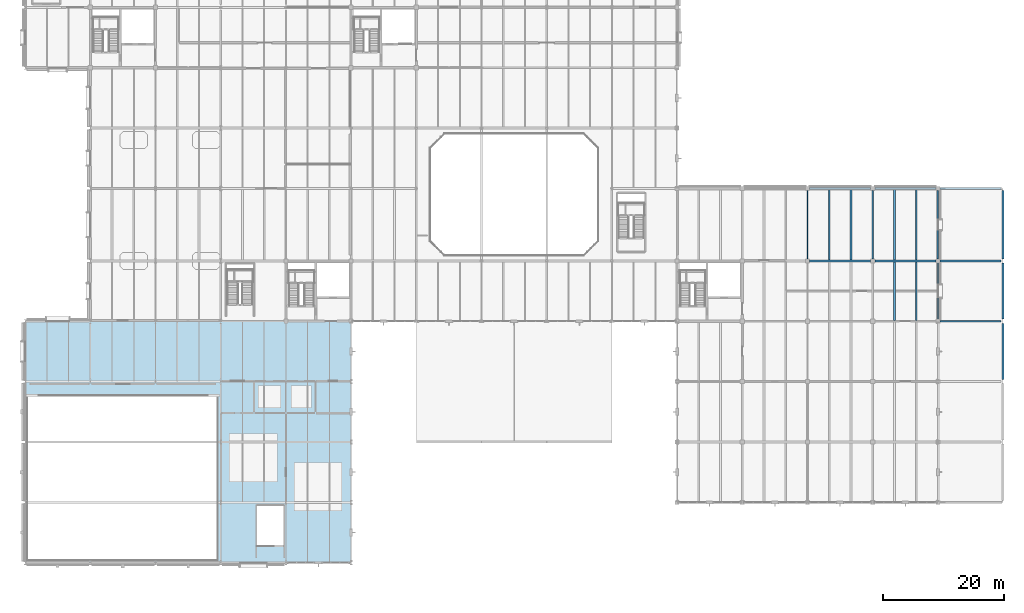
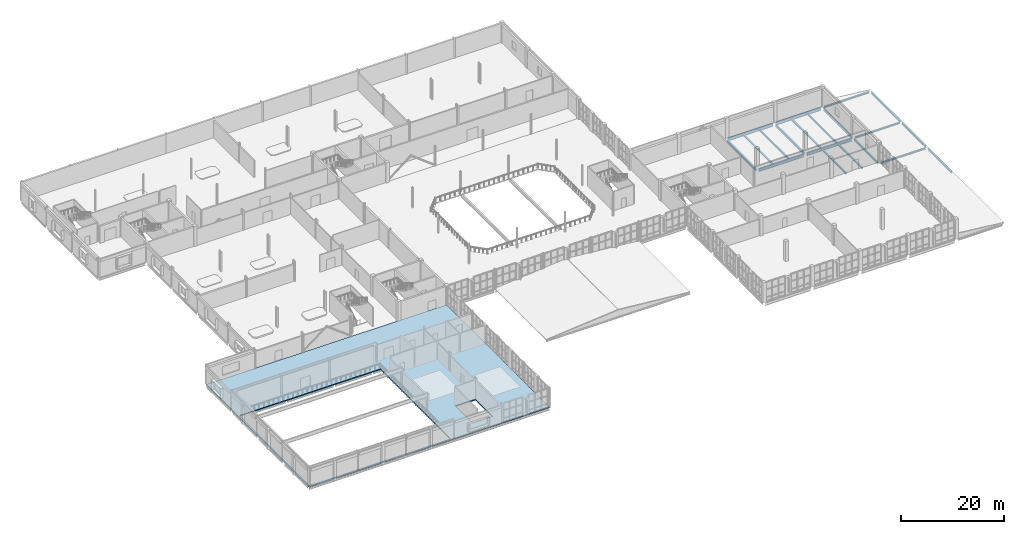
# One storey, part 55 of 92: 20 beams, 1 slab.
"""IFC4 building model written with IfcOpenShell, lengths in metres."""

import ifcopenshell
import ifcopenshell.guid

model = None  # the IFC model being written
_history = None  # IfcOwnerHistory: only IFC2X3 demands one
_inside = {}  # id of a spatial element -> (the spatial element, [elements in it])
_under = {}  # id of a project, library or spatial element -> (it, [spatial elements below it])
_declared = {}  # id of a project -> (the project, [libraries it declares])
_typed = {}  # id of a type object -> (the type object, [elements of that type])
_made_of = {}  # id of a material, layer set ... -> (it, [elements and type objects made of it])


def new_model(schema):
    """Start an empty IFC model of exactly this schema.

    Asked for "IFC4X3", IfcOpenShell would pick the latest addendum, in which some entities
    have other attributes; the version numbers below select the first issue.
    IFC2X3 requires an IfcOwnerHistory on every rooted entity: one is made here for all.
    """
    global model, _history
    if schema == "IFC4X3":
        model = ifcopenshell.file(schema_version=(4, 3, 0, 0))
    else:
        model = ifcopenshell.file(schema=schema)
    _inside.clear()
    _under.clear()
    _declared.clear()
    _typed.clear()
    _made_of.clear()
    _history = None
    if model.schema == "IFC2X3":
        org = make("IfcOrganization", Name="unknown")
        user = make(
            "IfcPersonAndOrganization",
            ThePerson=make("IfcPerson", FamilyName="unknown"),
            TheOrganization=org,
        )
        app = make(
            "IfcApplication",
            ApplicationDeveloper=org,
            Version="unknown",
            ApplicationFullName="unknown",
            ApplicationIdentifier="unknown",
        )
        _history = make(
            "IfcOwnerHistory",
            OwningUser=user,
            OwningApplication=app,
            ChangeAction="ADDED",
            CreationDate=0,
        )
    return model


def make(cls, **values):
    """One entity of the class cls with the attributes given. An attribute that is None is left unset."""
    return model.create_entity(
        cls, **{name: value for name, value in values.items() if value is not None}
    )


def rooted(cls, **values):
    """An entity with a GlobalId (a new one), such as an element, a storey or a relation."""
    return make(cls, GlobalId=ifcopenshell.guid.new(), OwnerHistory=_history, **values)


def si_unit(unit_type, name, prefix=None):
    """IfcSIUnit, for example si_unit("LENGTHUNIT", "METRE", prefix="MILLI")."""
    return make("IfcSIUnit", UnitType=unit_type, Prefix=prefix, Name=name)


def assignment(units):
    """IfcUnitAssignment: the units of a project."""
    return None if units is None else make("IfcUnitAssignment", Units=units)


def point(xyz):
    """IfcCartesianPoint."""
    return None if xyz is None else make("IfcCartesianPoint", Coordinates=xyz)


def direction(xyz):
    """IfcDirection."""
    return None if xyz is None else make("IfcDirection", DirectionRatios=xyz)


def frame(location, z_axis=None, x_axis=None):
    """IfcAxis2Placement3D, a coordinate frame: its origin and axes. An axis left out is left unset."""
    return make(
        "IfcAxis2Placement3D",
        Location=point(location),
        Axis=direction(z_axis),
        RefDirection=direction(x_axis),
    )


def frame_2d(location, x_axis=None):
    """IfcAxis2Placement2D, a coordinate frame in the plane: its origin and x axis."""
    return make(
        "IfcAxis2Placement2D", Location=point(location), RefDirection=direction(x_axis)
    )


def origin():
    """The frame at (0, 0, 0) with its axes left unset."""
    return frame((0.0, 0.0, 0.0))


def origin_2d():
    """The frame at (0, 0) in the plane with its x axis left unset."""
    return frame_2d((0.0, 0.0))


def place(relative_to, where):
    """IfcLocalPlacement: puts the frame where relative to a parent placement (None: the world)."""
    return make(
        "IfcLocalPlacement", PlacementRelTo=relative_to, RelativePlacement=where
    )


def context(
    kind, dimensions, precision=None, world=None, true_north=None, identifier=None
):
    """IfcGeometricRepresentationContext, for example the 3D "Model" context."""
    return make(
        "IfcGeometricRepresentationContext",
        ContextIdentifier=identifier,
        ContextType=kind,
        CoordinateSpaceDimension=dimensions,
        Precision=precision,
        WorldCoordinateSystem=world,
        TrueNorth=true_north,
    )


def subcontext(parent, identifier, kind, view, scale=None):
    """IfcGeometricRepresentationSubContext, for example "Body" below "Model"."""
    return make(
        "IfcGeometricRepresentationSubContext",
        ContextIdentifier=identifier,
        ContextType=kind,
        ParentContext=parent,
        TargetScale=scale,
        TargetView=view,
    )


def project(units=None, contexts=None):
    """IfcProject with its units and contexts."""
    return rooted(
        "IfcProject",
        Name="project",
        RepresentationContexts=contexts,
        UnitsInContext=assignment(units),
    )


def spatial(cls, under=None, at=None, **own):
    """A site, building, storey or space (cls), placed at a placement, below another one or the project."""
    s = rooted(cls, ObjectPlacement=at, **own)
    if under is not None:
        _under.setdefault(under.id(), (under, []))[1].append(s)
    return s


def polyline(points):
    """IfcPolyline through the points."""
    return make("IfcPolyline", Points=[point(p) for p in points])


def profile(cls, at=None, kind="AREA", **sizes):
    """A parametric profile (cls). Its sizes go by their IFC names, for example OverallWidth=200.0."""
    return make(cls, ProfileType=kind, Position=at, **sizes)


def i_section(**sizes):
    """IfcIShapeProfileDef."""
    return profile("IfcIShapeProfileDef", **sizes)


def outline(outer, holes=None, kind="AREA"):
    """IfcArbitraryClosedProfileDef: a profile drawn as a closed curve; with holes, ...WithVoids."""
    if holes is None:
        return make("IfcArbitraryClosedProfileDef", ProfileType=kind, OuterCurve=outer)
    return make(
        "IfcArbitraryProfileDefWithVoids",
        ProfileType=kind,
        OuterCurve=outer,
        InnerCurves=holes,
    )


def extrude(swept, where, along, depth):
    """IfcExtrudedAreaSolid: the profile swept, set in the frame where, extruded along a direction by depth."""
    return make(
        "IfcExtrudedAreaSolid",
        SweptArea=swept,
        Position=where,
        ExtrudedDirection=direction(along),
        Depth=depth,
    )


def shape(context_of_items, identifier, shape_type, items):
    """IfcShapeRepresentation: the items that make up one representation, for example the "Body"."""
    return make(
        "IfcShapeRepresentation",
        ContextOfItems=context_of_items,
        RepresentationIdentifier=identifier,
        RepresentationType=shape_type,
        Items=items,
    )


def material(Name=None, Category=None):
    """IfcMaterial."""
    return make("IfcMaterial", Name=Name, Category=Category)


def layer(
    of_material, thickness, ventilated=None, Name=None, Category=None, Priority=None
):
    """IfcMaterialLayer: one layer of a wall or slab, of a material (None: an air gap)."""
    return make(
        "IfcMaterialLayer",
        Material=of_material,
        LayerThickness=thickness,
        IsVentilated=ventilated,
        Name=Name,
        Category=Category,
        Priority=Priority,
    )


def layer_set(layers, Name=None):
    """IfcMaterialLayerSet."""
    return make("IfcMaterialLayerSet", MaterialLayers=layers, LayerSetName=Name)


def material_profile(
    of_material, cross_section, Name=None, Category=None, Priority=None
):
    """IfcMaterialProfile: a cross section and its material."""
    return make(
        "IfcMaterialProfile",
        Name=Name,
        Material=of_material,
        Profile=cross_section,
        Priority=Priority,
        Category=Category,
    )


def profile_set(profiles, Name=None, composite=None):
    """IfcMaterialProfileSet."""
    return make(
        "IfcMaterialProfileSet",
        Name=Name,
        MaterialProfiles=profiles,
        CompositeProfile=composite,
    )


def made_of(thing, what):
    """Note that an element or type object is made of a material, layer set ...; save() writes the relation."""
    if what is not None:
        _made_of.setdefault(what.id(), (what, []))[1].append(thing)
    return thing


def type_object(cls, material=None, **own):
    """A type object (cls), such as IfcWallType, which elements share."""
    return made_of(rooted(cls, **own), material)


def element(
    cls,
    number,
    at=None,
    inside=None,
    cuts=None,
    type_object=None,
    material=None,
    context=None,
    identifier="Body",
    shape_type=None,
    held_by="IfcProductDefinitionShape",
    body=None,
    shapes=None,
    **own,
):
    """One element of the class cls, such as IfcWall. Its Tag is "e" and its number.

    at: its placement. inside: the storey or other place that contains it. cuts: it is an
    opening in that element (IfcRelVoidsElement). A single representation is given by context,
    identifier, shape_type and body (its items); several are given by shapes. held_by: the class
    of the entity that holds the representations. save() writes the other relations.
    """
    e = rooted(cls, Tag="e%d" % number, ObjectPlacement=at, **own)
    if body is not None:
        shapes = [shape(context, identifier, shape_type, body)]
    if shapes is not None:
        e.Representation = make(held_by, Representations=shapes)
    if inside is not None:
        _inside.setdefault(inside.id(), (inside, []))[1].append(e)
    if cuts is not None:
        rooted(
            "IfcRelVoidsElement", RelatingBuildingElement=cuts, RelatedOpeningElement=e
        )
    if type_object is not None:
        _typed.setdefault(type_object.id(), (type_object, []))[1].append(e)
    return made_of(e, material)


def aggregate(whole, parts):
    """IfcRelAggregates: a whole, such as a stair, and the parts it consists of."""
    return rooted("IfcRelAggregates", RelatingObject=whole, RelatedObjects=parts)


def save(model, path):
    """Write the relations noted so far, then the file.

    IfcRelAggregates (storeys below a building ...), IfcRelContainedInSpatialStructure (elements
    in a storey), IfcRelDefinesByType, IfcRelAssociatesMaterial and IfcRelDeclares: one each for
    every whole, place, type object, material and project.
    """
    for whole, parts in _under.values():
        aggregate(whole, parts)
    for where, things in _inside.values():
        rooted(
            "IfcRelContainedInSpatialStructure",
            RelatedElements=things,
            RelatingStructure=where,
        )
    for kind, things in _typed.values():
        rooted("IfcRelDefinesByType", RelatedObjects=things, RelatingType=kind)
    for what, things in _made_of.values():
        rooted("IfcRelAssociatesMaterial", RelatedObjects=things, RelatingMaterial=what)
    for by, libraries in _declared.values():
        rooted("IfcRelDeclares", RelatingContext=by, RelatedDefinitions=libraries)
    model.write(path)


model = new_model("IFC4")

# Units and contexts
model_context = context("Model", 3, precision=1e-05, world=origin(), true_north=direction((0.0, 1.0)))
body_context = subcontext(model_context, "Body", "Model", "MODEL_VIEW")
ifc_project = project(units=[si_unit("LENGTHUNIT", "METRE"), si_unit("AREAUNIT", "SQUARE_METRE"), si_unit("VOLUMEUNIT", "CUBIC_METRE"), si_unit("PLANEANGLEUNIT", "RADIAN"), si_unit("MASSUNIT", "GRAM", prefix="KILO")], contexts=[model_context])

# Site, building, storey
site_placement = place(None, origin())
site = spatial("IfcSite", under=ifc_project, at=site_placement, CompositionType="ELEMENT")
building_placement = place(site_placement, origin())
building = spatial("IfcBuilding", under=site, at=building_placement, Name="Tasgan Crest Museum", CompositionType="ELEMENT")
storey_placement = place(building_placement, frame((0.0, 0.0, 4.800048828125)))
storey = spatial("IfcBuildingStorey", under=building, at=storey_placement, Name="L01", CompositionType="ELEMENT", Elevation=4.800048828125)

# Beams
ifc_material_1 = material(Name="Steel S355J2", Category="steel")
ifc_material_profile_1 = material_profile(ifc_material_1, i_section(OverallWidth=0.300048828125, OverallDepth=0.389892578125, WebThickness=0.010986328125, FlangeThickness=0.01904296875, FilletRadius=0.027099609375, at=origin_2d()), Name="HEA 400")
ifc_profile_set_1 = profile_set([ifc_material_profile_1], Name="Steel S355J2")
beam_type_1 = type_object("IfcBeamType", Name="BM-G-HEA400", PredefinedType="BEAM", material=ifc_profile_set_1)
for number, where, z_axis, x_axis, name in (
    (1, (151.5458984375, 40.0, -0.47509765625), (1.0, 0.0, 0.0), (0.0, 1.0, 0.0), "East loading dock sloped roof girder E 151.2"),
    (2, (151.5458984375, 50.0, -0.47509765625), (1.0, 0.0, 0.0), (0.0, 1.0, 0.0), "East loading dock sloped roof girder F 151.2"),
    (3, (151.5458984375, 62.0, -0.47509765625), (1.0, 0.0, 0.0), (0.0, 1.0, 0.0), "East loading dock sloped roof girder G 151.2"),
):
    element("IfcBeam", number, at=place(storey_placement, frame(where, z_axis=z_axis, x_axis=x_axis)), inside=storey, type_object=beam_type_1, Name=name, PredefinedType="BEAM", context=body_context, shape_type="SweptSolid", body=[
        extrude(i_section(OverallWidth=0.300048828125, OverallDepth=0.389892578125, WebThickness=0.010986328125, FlangeThickness=0.01904296875, FilletRadius=0.027099609375, at=origin_2d()), origin(), (0.0, 0.0, 1.0), 10.108154296875),
    ])
for number, where, z_axis, x_axis, name in (
    (4, (162.0, 30.344970703125, -0.47509765625), (0.0, 1.0, 0.0), (-1.0, 0.0, 0.0), "East loading dock sloped roof beam 16 30.0"),
    (5, (162.0, 40.344970703125, -0.47509765625), (0.0, 1.0, 0.0), (-1.0, 0.0, 0.0), "East loading dock sloped roof beam 16 40.0"),
):
    element("IfcBeam", number, at=place(storey_placement, frame(where, z_axis=z_axis, x_axis=x_axis)), inside=storey, type_object=beam_type_1, Name=name, PredefinedType="BEAM", context=body_context, shape_type="SweptSolid", body=[
        extrude(i_section(OverallWidth=0.300048828125, OverallDepth=0.389892578125, WebThickness=0.010986328125, FlangeThickness=0.01904296875, FilletRadius=0.027099609375, at=origin_2d()), origin(), (0.0, 0.0, 1.0), 9.31005859375),
    ])
beam_1_placement = place(storey_placement, frame((162.0, 50.344970703125, -0.47509765625), z_axis=(0.0, 1.0, 0.0), x_axis=(-1.0, 0.0, 0.0)))
element("IfcBeam", 6, at=beam_1_placement, inside=storey, type_object=beam_type_1, Name="East loading dock sloped roof beam 16 50.0", PredefinedType="BEAM", context=body_context, shape_type="SweptSolid", body=[
    extrude(i_section(OverallWidth=0.300048828125, OverallDepth=0.389892578125, WebThickness=0.010986328125, FlangeThickness=0.01904296875, FilletRadius=0.027099609375, at=origin_2d()), origin(), (0.0, 0.0, 1.0), 11.31005859375),
])
ifc_material_2 = material(Name="Steel S355K2", Category="steel")
ifc_material_profile_2 = material_profile(ifc_material_2, i_section(OverallWidth=0.300048828125, OverallDepth=0.699951171875, WebThickness=0.01708984375, FlangeThickness=0.031982421875, FilletRadius=0.027099609375, at=origin_2d()), Name="HEB 700")
ifc_profile_set_2 = profile_set([ifc_material_profile_2], Name="Steel S355K2")
beam_type_2 = type_object("IfcBeamType", Name="BM-G-HEB700", PredefinedType="BEAM", material=ifc_profile_set_2)
for number, where, z_axis, x_axis, name in (
    (7, (129.946044921875, 50.0, -0.630126953125), (1.0, 0.0, 0.0), (0.0, 1.0, 0.0), "Girder L01 F 129.6-140.4"),
    (8, (140.74609375, 50.0, -0.630126953125), (1.0, 0.0, 0.0), (0.0, 1.0, 0.0), "Girder L01 F 140.4-151.2"),
    (9, (129.946044921875, 62.0, -0.630126953125), (1.0, 0.0, 0.0), (0.0, 1.0, 0.0), "Girder L01 G 129.6-140.4"),
    (10, (140.74609375, 62.0, -0.630126953125), (1.0, 0.0, 0.0), (0.0, 1.0, 0.0), "Girder L01 G 140.4-151.2"),
):
    element("IfcBeam", number, at=place(storey_placement, frame(where, z_axis=z_axis, x_axis=x_axis)), inside=storey, type_object=beam_type_2, Name=name, PredefinedType="BEAM", context=body_context, shape_type="SweptSolid", body=[
        extrude(i_section(OverallWidth=0.300048828125, OverallDepth=0.699951171875, WebThickness=0.01708984375, FlangeThickness=0.031982421875, FilletRadius=0.027099609375, at=origin_2d()), origin(), (0.0, 0.0, 1.0), 10.10791015625),
    ])
ifc_material_3 = material(Name="Steel S355J2", Category="steel")
ifc_material_profile_3 = material_profile(ifc_material_3, i_section(OverallWidth=0.2099609375, OverallDepth=0.550048828125, WebThickness=0.010986328125, FlangeThickness=0.01708984375, FilletRadius=0.02392578125, at=origin_2d()), Name="IPE 550")
ifc_profile_set_3 = profile_set([ifc_material_profile_3], Name="Steel S355J2")
beam_type_3 = type_object("IfcBeamType", Name="BM-G-IPE550", PredefinedType="BEAM", material=ifc_profile_set_3)
beam_2_placement = place(storey_placement, frame((151.199951171875, 40.344970703125, -0.554931640625), z_axis=(0.0, 1.0, 0.0), x_axis=(-1.0, 0.0, 0.0)))
element("IfcBeam", 11, at=beam_2_placement, inside=storey, type_object=beam_type_3, Name="Beam L01 15 40.0-50.0", PredefinedType="BEAM", context=body_context, shape_type="SweptSolid", body=[
    extrude(i_section(OverallWidth=0.2099609375, OverallDepth=0.550048828125, WebThickness=0.010986328125, FlangeThickness=0.01708984375, FilletRadius=0.02392578125, at=origin_2d()), origin(), (0.0, 0.0, 1.0), 9.31005859375),
])
ifc_material_4 = material(Name="Steel S355J2", Category="steel")
ifc_material_profile_4 = material_profile(ifc_material_4, i_section(OverallWidth=0.219970703125, OverallDepth=0.60009765625, WebThickness=0.011962890625, FlangeThickness=0.01904296875, FilletRadius=0.02392578125, at=origin_2d()), Name="IPE 600")
ifc_profile_set_4 = profile_set([ifc_material_profile_4], Name="Steel S355J2")
beam_type_4 = type_object("IfcBeamType", Name="BM-G-IPE600", PredefinedType="BEAM", material=ifc_profile_set_4)
for number, where, z_axis, x_axis, name in (
    (12, (129.60009765625, 50.344970703125, -0.580078125), (0.0, 1.0, 0.0), (-1.0, 0.0, 0.0), "Beam L01 13 50.0-62.0"),
    (13, (140.39990234375, 50.344970703125, -0.580078125), (0.0, 1.0, 0.0), (-1.0, 0.0, 0.0), "Beam L01 14 50.0-62.0"),
    (14, (151.199951171875, 50.344970703125, -0.580078125), (0.0, 1.0, 0.0), (-1.0, 0.0, 0.0), "Beam L01 15 50.0-62.0"),
):
    element("IfcBeam", number, at=place(storey_placement, frame(where, z_axis=z_axis, x_axis=x_axis)), inside=storey, type_object=beam_type_4, Name=name, PredefinedType="BEAM", context=body_context, shape_type="SweptSolid", body=[
        extrude(i_section(OverallWidth=0.219970703125, OverallDepth=0.60009765625, WebThickness=0.011962890625, FlangeThickness=0.01904296875, FilletRadius=0.02392578125, at=origin_2d()), origin(), (0.0, 0.0, 1.0), 11.31005859375),
    ])
ifc_material_5 = material(Name="Steel S355J2", Category="steel")
ifc_material_profile_5 = material_profile(ifc_material_5, i_section(OverallWidth=0.300048828125, OverallDepth=0.31005859375, WebThickness=0.009033203125, FlangeThickness=0.015380859375, FilletRadius=0.027099609375, at=origin_2d()), Name="HEA 320")
ifc_profile_set_5 = profile_set([ifc_material_profile_5], Name="Steel S355J2")
beam_type_5 = type_object("IfcBeamType", Name="BM-J-HEA320", PredefinedType="JOIST", material=ifc_profile_set_5)
for number, where, z_axis, x_axis, name in (
    (15, (133.199951171875, 50.14501953125, -0.43505859375), (0.0, 1.0, 0.0), (-1.0, 0.0, 0.0), "Secondary joist L01 X=133.2 Y=50.0-62.0"),
    (16, (136.800048828125, 50.14501953125, -0.43505859375), (0.0, 1.0, 0.0), (-1.0, 0.0, 0.0), "Secondary joist L01 X=136.8 Y=50.0-62.0"),
):
    element("IfcBeam", number, at=place(storey_placement, frame(where, z_axis=z_axis, x_axis=x_axis)), inside=storey, type_object=beam_type_5, Name=name, PredefinedType="JOIST", context=body_context, shape_type="SweptSolid", body=[
        extrude(i_section(OverallWidth=0.300048828125, OverallDepth=0.31005859375, WebThickness=0.009033203125, FlangeThickness=0.015380859375, FilletRadius=0.027099609375, at=origin_2d()), origin(), (0.0, 0.0, 1.0), 11.7099609375),
    ])
for number, where, z_axis, x_axis, name in (
    (17, (144.0, 40.14501953125, -0.43505859375), (0.0, 1.0, 0.0), (-1.0, 0.0, 0.0), "Secondary joist L01 X=144.0 Y=40.0-50.0"),
    (18, (147.60009765625, 40.14501953125, -0.43505859375), (0.0, 1.0, 0.0), (-1.0, 0.0, 0.0), "Secondary joist L01 X=147.6 Y=40.0-50.0"),
):
    element("IfcBeam", number, at=place(storey_placement, frame(where, z_axis=z_axis, x_axis=x_axis)), inside=storey, type_object=beam_type_5, Name=name, PredefinedType="JOIST", context=body_context, shape_type="SweptSolid", body=[
        extrude(i_section(OverallWidth=0.300048828125, OverallDepth=0.31005859375, WebThickness=0.009033203125, FlangeThickness=0.015380859375, FilletRadius=0.027099609375, at=origin_2d()), origin(), (0.0, 0.0, 1.0), 9.7099609375),
    ])
for number, where, z_axis, x_axis, name in (
    (19, (144.0, 50.14501953125, -0.43505859375), (0.0, 1.0, 0.0), (-1.0, 0.0, 0.0), "Secondary joist L01 X=144.0 Y=50.0-62.0"),
    (20, (147.60009765625, 50.14501953125, -0.43505859375), (0.0, 1.0, 0.0), (-1.0, 0.0, 0.0), "Secondary joist L01 X=147.6 Y=50.0-62.0"),
):
    element("IfcBeam", number, at=place(storey_placement, frame(where, z_axis=z_axis, x_axis=x_axis)), inside=storey, type_object=beam_type_5, Name=name, PredefinedType="JOIST", context=body_context, shape_type="SweptSolid", body=[
        extrude(i_section(OverallWidth=0.300048828125, OverallDepth=0.31005859375, WebThickness=0.009033203125, FlangeThickness=0.015380859375, FilletRadius=0.027099609375, at=origin_2d()), origin(), (0.0, 0.0, 1.0), 11.7099609375),
    ])

# Slab
ifc_material_6 = material(Name="Concrete C35/45", Category="concrete")
ifc_layer = layer(ifc_material_6, 0.239990234375, Name="SL-FLR-240")
ifc_layer_set = layer_set([ifc_layer], Name="Concrete C35/45")
slab_type = type_object("IfcSlabType", Name="SL-FLR-240", PredefinedType="FLOOR", material=ifc_layer_set)
slab_placement = place(storey_placement, frame((0.0, 0.0, -0.239990234375)))
element("IfcSlab", 21, at=slab_placement, inside=storey, type_object=slab_type, Name="Floor slab L01 V1", PredefinedType="FLOOR", context=body_context, shape_type="SweptSolid", body=[
    extrude(outline(polyline([(0.0, 0.0), (54.0, 0.0), (54.0, 40.0), (0.0, 40.0), (0.0, 0.0)]), holes=[polyline([(0.280029296875, 0.280029296875), (31.949951171875, 0.280029296875), (31.949951171875, 27.60009765625), (0.280029296875, 27.60009765625), (0.280029296875, 0.280029296875)]), polyline([(38.35009765625, 2.75), (42.85009765625, 2.75), (42.85009765625, 9.449951171875), (38.35009765625, 9.449951171875), (38.35009765625, 2.75)])]), origin(), (0.0, 0.0, 1.0), 0.239990234375),
])

save(model, "model.ifc")
